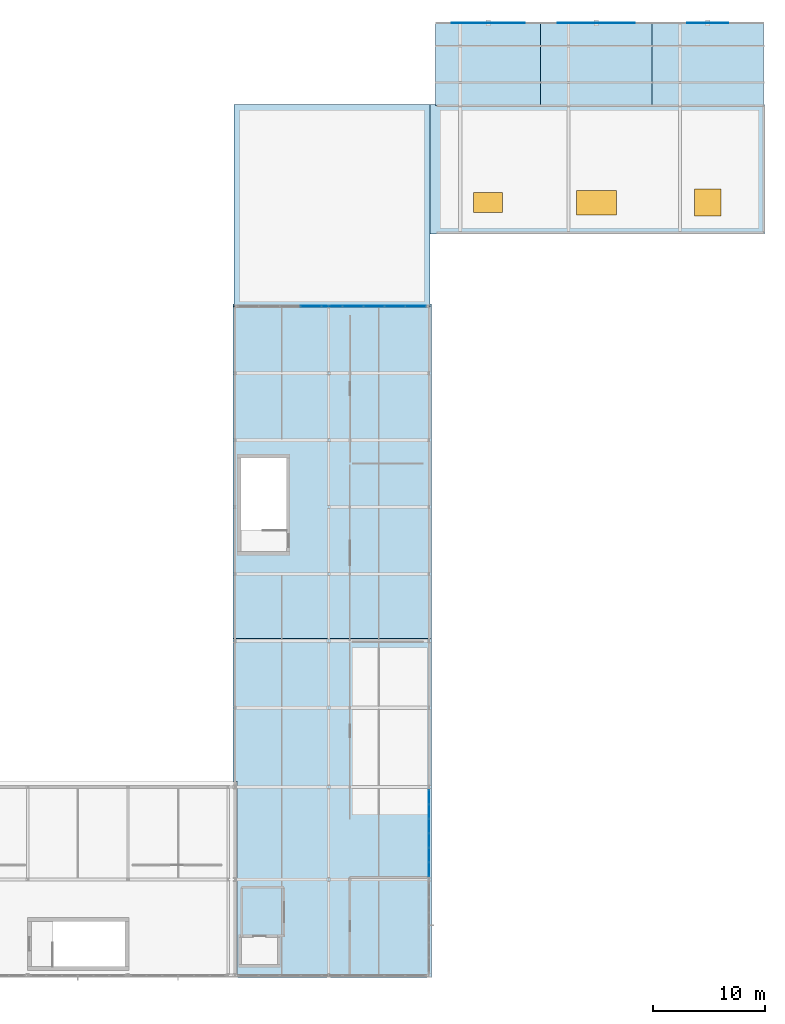
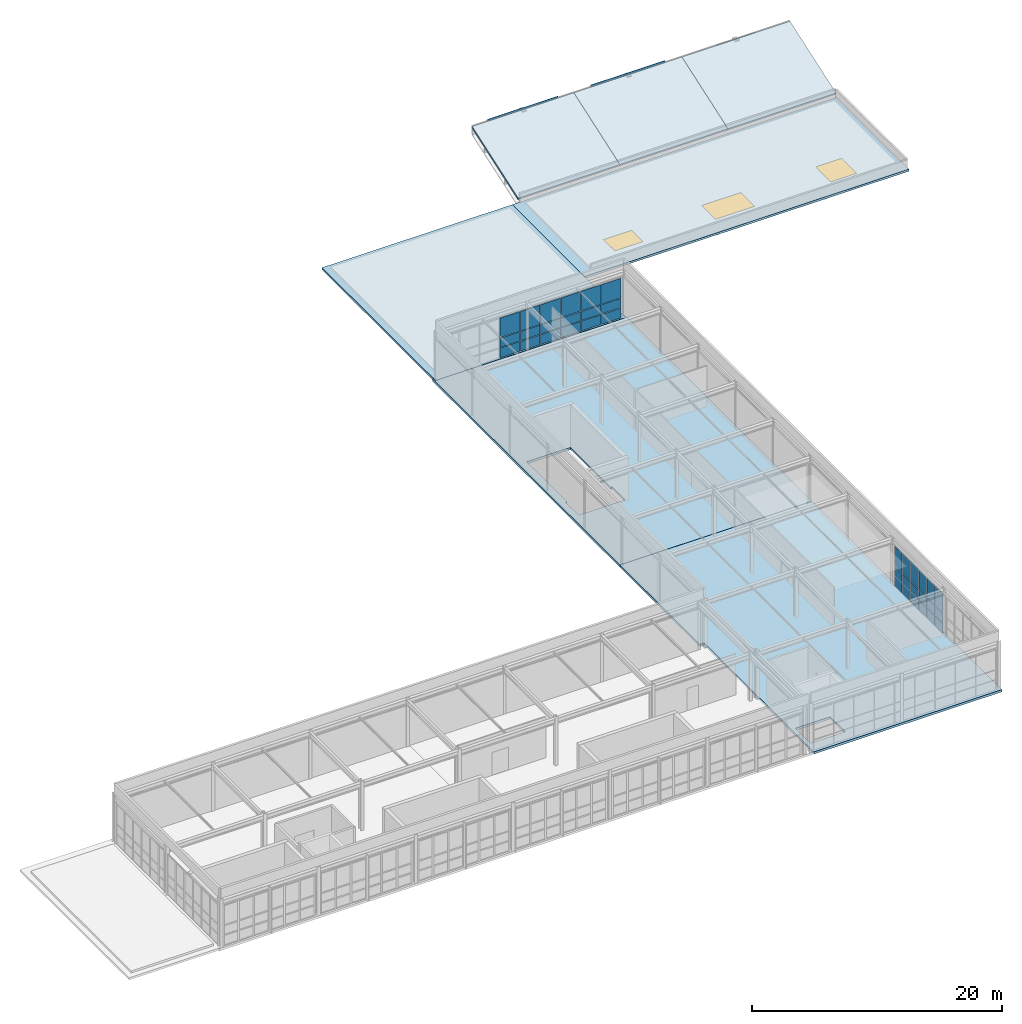
# One storey, part 32 of 38: 39 plates, 7 slabs, 3 windows, 3 openings, 4 elements without a shape of their own.
"""IFC4 building model written with IfcOpenShell, lengths in metres."""

from ifc_helpers import new_model, si_unit, direction, frame, origin, origin_2d, place, context, subcontext, project, spatial, polyline, rectangle, outline, extrude, material, layer, layer_set, type_object, element, fill, aggregate, save


model = new_model("IFC4")

# Units and contexts
model_context = context("Model", 3, precision=1e-05, world=origin(), true_north=direction((0.0, 1.0)))
body_context = subcontext(model_context, "Body", "Model", "MODEL_VIEW")
ifc_project = project(units=[si_unit("LENGTHUNIT", "METRE"), si_unit("AREAUNIT", "SQUARE_METRE"), si_unit("VOLUMEUNIT", "CUBIC_METRE"), si_unit("PLANEANGLEUNIT", "RADIAN"), si_unit("MASSUNIT", "GRAM", prefix="KILO")], contexts=[model_context])

# Site, building, storey
site_placement = place(None, origin())
site = spatial("IfcSite", under=ifc_project, at=site_placement, CompositionType="ELEMENT")
building_placement = place(site_placement, origin())
building = spatial("IfcBuilding", under=site, at=building_placement, Name="Kaldris Quays Convention Centre", CompositionType="ELEMENT")
storey_placement = place(building_placement, frame((0.0, 0.0, 21.60009765625)))
storey = spatial("IfcBuildingStorey", under=building, at=storey_placement, Name="L04", CompositionType="ELEMENT", Elevation=21.60009765625)

# Curtain wall, plates
ifc_material_1 = material(Name="Anodized aluminium AW-6060 and triple glazing", Category="aluminium")
curtain_wall_type_1 = type_object("IfcCurtainWallType", Name="UNITISED CURTAIN WALL CW04", PredefinedType="NOTDEFINED", material=ifc_material_1)
curtain_wall_1_placement = place(storey_placement, origin())
curtain_wall_1 = element("IfcCurtainWall", 1, at=curtain_wall_1_placement, inside=storey, type_object=curtain_wall_type_1, Name="L04 Unitised Curtain Wall CW04 150", PredefinedType="NOTDEFINED")
ifc_material_2 = material(Name="Triple low-E insulated glazing", Category="glass")
plate_type_1 = type_object("IfcPlateType", Name="CURTAIN GLAZING PANEL CWP6", PredefinedType="CURTAIN_PANEL", material=ifc_material_2)
plate_1_placement = place(storey_placement, frame((164.0, 47.514892578125, 0.059814453125), z_axis=(0.0, 0.0, 1.0), x_axis=(0.0, 1.0, 0.0)))
plate_1 = element("IfcPlate", 2, at=plate_1_placement, type_object=plate_type_1, Name="CW04 panel 1.1", PredefinedType="CURTAIN_PANEL", context=body_context, shape_type="SweptSolid", body=[
    extrude(rectangle(XDim=1.2099609375, YDim=0.053955078125, at=origin_2d()), origin(), (0.0, 0.0, 1.0), 0.9599609375),
])
plate_2_placement = place(storey_placement, frame((164.0, 47.514892578125, 1.080078125), z_axis=(0.0, 0.0, 1.0), x_axis=(0.0, 1.0, 0.0)))
plate_2 = element("IfcPlate", 3, at=plate_2_placement, type_object=plate_type_1, Name="CW04 panel 1.2", PredefinedType="CURTAIN_PANEL", context=body_context, shape_type="SweptSolid", body=[
    extrude(rectangle(XDim=1.2099609375, YDim=0.053955078125, at=origin_2d()), origin(), (0.0, 0.0, 1.0), 0.889892578125),
])
plate_3_placement = place(storey_placement, frame((164.0, 47.514892578125, 2.02978515625), z_axis=(0.0, 0.0, 1.0), x_axis=(0.0, 1.0, 0.0)))
plate_3 = element("IfcPlate", 4, at=plate_3_placement, type_object=plate_type_1, Name="CW04 panel 1.3", PredefinedType="CURTAIN_PANEL", context=body_context, shape_type="SweptSolid", body=[
    extrude(rectangle(XDim=1.2099609375, YDim=0.053955078125, at=origin_2d()), origin(), (0.0, 0.0, 1.0), 1.909912109375),
])
plate_4_placement = place(storey_placement, frame((164.0, 48.800048828125, 0.059814453125), z_axis=(0.0, 0.0, 1.0), x_axis=(0.0, 1.0, 0.0)))
plate_4 = element("IfcPlate", 5, at=plate_4_placement, type_object=plate_type_1, Name="CW04 panel 2.1", PredefinedType="CURTAIN_PANEL", context=body_context, shape_type="SweptSolid", body=[
    extrude(rectangle(XDim=1.239990234375, YDim=0.053955078125, at=origin_2d()), origin(), (0.0, 0.0, 1.0), 0.9599609375),
])
plate_5_placement = place(storey_placement, frame((164.0, 48.800048828125, 1.080078125), z_axis=(0.0, 0.0, 1.0), x_axis=(0.0, 1.0, 0.0)))
plate_5 = element("IfcPlate", 6, at=plate_5_placement, type_object=plate_type_1, Name="CW04 panel 2.2", PredefinedType="CURTAIN_PANEL", context=body_context, shape_type="SweptSolid", body=[
    extrude(rectangle(XDim=1.239990234375, YDim=0.053955078125, at=origin_2d()), origin(), (0.0, 0.0, 1.0), 0.889892578125),
])
plate_6_placement = place(storey_placement, frame((164.0, 48.800048828125, 2.02978515625), z_axis=(0.0, 0.0, 1.0), x_axis=(0.0, 1.0, 0.0)))
plate_6 = element("IfcPlate", 7, at=plate_6_placement, type_object=plate_type_1, Name="CW04 panel 2.3", PredefinedType="CURTAIN_PANEL", context=body_context, shape_type="SweptSolid", body=[
    extrude(rectangle(XDim=1.239990234375, YDim=0.053955078125, at=origin_2d()), origin(), (0.0, 0.0, 1.0), 1.909912109375),
])
plate_7_placement = place(storey_placement, frame((164.0, 50.10009765625, 0.059814453125), z_axis=(0.0, 0.0, 1.0), x_axis=(0.0, 1.0, 0.0)))
plate_7 = element("IfcPlate", 8, at=plate_7_placement, type_object=plate_type_1, Name="CW04 panel 3.1", PredefinedType="CURTAIN_PANEL", context=body_context, shape_type="SweptSolid", body=[
    extrude(rectangle(XDim=1.239990234375, YDim=0.053955078125, at=origin_2d()), origin(), (0.0, 0.0, 1.0), 0.9599609375),
])
plate_8_placement = place(storey_placement, frame((164.0, 50.10009765625, 1.080078125), z_axis=(0.0, 0.0, 1.0), x_axis=(0.0, 1.0, 0.0)))
plate_8 = element("IfcPlate", 9, at=plate_8_placement, type_object=plate_type_1, Name="CW04 panel 3.2", PredefinedType="CURTAIN_PANEL", context=body_context, shape_type="SweptSolid", body=[
    extrude(rectangle(XDim=1.239990234375, YDim=0.053955078125, at=origin_2d()), origin(), (0.0, 0.0, 1.0), 0.889892578125),
])
plate_9_placement = place(storey_placement, frame((164.0, 50.10009765625, 2.02978515625), z_axis=(0.0, 0.0, 1.0), x_axis=(0.0, 1.0, 0.0)))
plate_9 = element("IfcPlate", 10, at=plate_9_placement, type_object=plate_type_1, Name="CW04 panel 3.3", PredefinedType="CURTAIN_PANEL", context=body_context, shape_type="SweptSolid", body=[
    extrude(rectangle(XDim=1.239990234375, YDim=0.053955078125, at=origin_2d()), origin(), (0.0, 0.0, 1.0), 1.909912109375),
])
plate_10_placement = place(storey_placement, frame((164.0, 51.39990234375, 0.059814453125), z_axis=(0.0, 0.0, 1.0), x_axis=(0.0, 1.0, 0.0)))
plate_10 = element("IfcPlate", 11, at=plate_10_placement, type_object=plate_type_1, Name="CW04 panel 4.1", PredefinedType="CURTAIN_PANEL", context=body_context, shape_type="SweptSolid", body=[
    extrude(rectangle(XDim=1.239990234375, YDim=0.053955078125, at=origin_2d()), origin(), (0.0, 0.0, 1.0), 0.9599609375),
])
plate_11_placement = place(storey_placement, frame((164.0, 51.39990234375, 1.080078125), z_axis=(0.0, 0.0, 1.0), x_axis=(0.0, 1.0, 0.0)))
plate_11 = element("IfcPlate", 12, at=plate_11_placement, type_object=plate_type_1, Name="CW04 panel 4.2", PredefinedType="CURTAIN_PANEL", context=body_context, shape_type="SweptSolid", body=[
    extrude(rectangle(XDim=1.239990234375, YDim=0.053955078125, at=origin_2d()), origin(), (0.0, 0.0, 1.0), 0.889892578125),
])
plate_12_placement = place(storey_placement, frame((164.0, 51.39990234375, 2.02978515625), z_axis=(0.0, 0.0, 1.0), x_axis=(0.0, 1.0, 0.0)))
plate_12 = element("IfcPlate", 13, at=plate_12_placement, type_object=plate_type_1, Name="CW04 panel 4.3", PredefinedType="CURTAIN_PANEL", context=body_context, shape_type="SweptSolid", body=[
    extrude(rectangle(XDim=1.239990234375, YDim=0.053955078125, at=origin_2d()), origin(), (0.0, 0.0, 1.0), 1.909912109375),
])
plate_13_placement = place(storey_placement, frame((164.0, 52.699951171875, 0.059814453125), z_axis=(0.0, 0.0, 1.0), x_axis=(0.0, 1.0, 0.0)))
plate_13 = element("IfcPlate", 14, at=plate_13_placement, type_object=plate_type_1, Name="CW04 panel 5.1", PredefinedType="CURTAIN_PANEL", context=body_context, shape_type="SweptSolid", body=[
    extrude(rectangle(XDim=1.239990234375, YDim=0.053955078125, at=origin_2d()), origin(), (0.0, 0.0, 1.0), 0.9599609375),
])
plate_14_placement = place(storey_placement, frame((164.0, 52.699951171875, 1.080078125), z_axis=(0.0, 0.0, 1.0), x_axis=(0.0, 1.0, 0.0)))
plate_14 = element("IfcPlate", 15, at=plate_14_placement, type_object=plate_type_1, Name="CW04 panel 5.2", PredefinedType="CURTAIN_PANEL", context=body_context, shape_type="SweptSolid", body=[
    extrude(rectangle(XDim=1.239990234375, YDim=0.053955078125, at=origin_2d()), origin(), (0.0, 0.0, 1.0), 0.889892578125),
])
plate_15_placement = place(storey_placement, frame((164.0, 52.699951171875, 2.02978515625), z_axis=(0.0, 0.0, 1.0), x_axis=(0.0, 1.0, 0.0)))
plate_15 = element("IfcPlate", 16, at=plate_15_placement, type_object=plate_type_1, Name="CW04 panel 5.3", PredefinedType="CURTAIN_PANEL", context=body_context, shape_type="SweptSolid", body=[
    extrude(rectangle(XDim=1.239990234375, YDim=0.053955078125, at=origin_2d()), origin(), (0.0, 0.0, 1.0), 1.909912109375),
])
plate_16_placement = place(storey_placement, frame((164.0, 53.985107421875, 0.059814453125), z_axis=(0.0, 0.0, 1.0), x_axis=(0.0, 1.0, 0.0)))
plate_16 = element("IfcPlate", 17, at=plate_16_placement, type_object=plate_type_1, Name="CW04 panel 6.1", PredefinedType="CURTAIN_PANEL", context=body_context, shape_type="SweptSolid", body=[
    extrude(rectangle(XDim=1.2099609375, YDim=0.053955078125, at=origin_2d()), origin(), (0.0, 0.0, 1.0), 0.9599609375),
])
plate_17_placement = place(storey_placement, frame((164.0, 53.985107421875, 1.080078125), z_axis=(0.0, 0.0, 1.0), x_axis=(0.0, 1.0, 0.0)))
plate_17 = element("IfcPlate", 18, at=plate_17_placement, type_object=plate_type_1, Name="CW04 panel 6.2", PredefinedType="CURTAIN_PANEL", context=body_context, shape_type="SweptSolid", body=[
    extrude(rectangle(XDim=1.2099609375, YDim=0.053955078125, at=origin_2d()), origin(), (0.0, 0.0, 1.0), 0.889892578125),
])
plate_18_placement = place(storey_placement, frame((164.0, 53.985107421875, 2.02978515625), z_axis=(0.0, 0.0, 1.0), x_axis=(0.0, 1.0, 0.0)))
plate_18 = element("IfcPlate", 19, at=plate_18_placement, type_object=plate_type_1, Name="CW04 panel 6.3", PredefinedType="CURTAIN_PANEL", context=body_context, shape_type="SweptSolid", body=[
    extrude(rectangle(XDim=1.2099609375, YDim=0.053955078125, at=origin_2d()), origin(), (0.0, 0.0, 1.0), 1.909912109375),
])
aggregate(curtain_wall_1, [plate_1, plate_2, plate_3, plate_4, plate_5, plate_6, plate_7, plate_8, plate_9, plate_10, plate_11, plate_12, plate_13, plate_14, plate_15, plate_16, plate_17, plate_18])

curtain_wall_type_2 = type_object("IfcCurtainWallType", Name="UNITISED CURTAIN WALL CW05", PredefinedType="NOTDEFINED", material=ifc_material_1)
curtain_wall_2_placement = place(storey_placement, origin())
curtain_wall_2 = element("IfcCurtainWall", 20, at=curtain_wall_2_placement, inside=storey, type_object=curtain_wall_type_2, Name="L04 Unitised Curtain Wall CW05 151", PredefinedType="NOTDEFINED")
plate_type_2 = type_object("IfcPlateType", Name="CURTAIN GLAZING PANEL CWP7", PredefinedType="CURTAIN_PANEL", material=ifc_material_2)
plate_19_placement = place(storey_placement, frame((153.422119140625, 98.0, 0.059814453125), z_axis=(0.0, 0.0, 1.0), x_axis=(1.0, 0.0, 0.0)))
plate_19 = element("IfcPlate", 21, at=plate_19_placement, type_object=plate_type_2, Name="CW05 panel 4.1", PredefinedType="CURTAIN_PANEL", context=body_context, shape_type="SweptSolid", body=[
    extrude(rectangle(XDim=1.81787109375, YDim=0.05908203125, at=origin_2d()), origin(), (0.0, 0.0, 1.0), 0.9599609375),
])
plate_20_placement = place(storey_placement, frame((153.422119140625, 98.0, 1.080078125), z_axis=(0.0, 0.0, 1.0), x_axis=(1.0, 0.0, 0.0)))
plate_20 = element("IfcPlate", 22, at=plate_20_placement, type_object=plate_type_2, Name="CW05 panel 4.2", PredefinedType="CURTAIN_PANEL", context=body_context, shape_type="SweptSolid", body=[
    extrude(rectangle(XDim=1.81787109375, YDim=0.05908203125, at=origin_2d()), origin(), (0.0, 0.0, 1.0), 0.889892578125),
])
plate_21_placement = place(storey_placement, frame((153.422119140625, 98.0, 2.02978515625), z_axis=(0.0, 0.0, 1.0), x_axis=(1.0, 0.0, 0.0)))
plate_21 = element("IfcPlate", 23, at=plate_21_placement, type_object=plate_type_2, Name="CW05 panel 4.3", PredefinedType="CURTAIN_PANEL", context=body_context, shape_type="SweptSolid", body=[
    extrude(rectangle(XDim=1.81787109375, YDim=0.05908203125, at=origin_2d()), origin(), (0.0, 0.0, 1.0), 1.909912109375),
])
plate_22_placement = place(storey_placement, frame((155.300048828125, 98.0, 0.059814453125), z_axis=(0.0, 0.0, 1.0), x_axis=(1.0, 0.0, 0.0)))
plate_22 = element("IfcPlate", 24, at=plate_22_placement, type_object=plate_type_2, Name="CW05 panel 5.1", PredefinedType="CURTAIN_PANEL", context=body_context, shape_type="SweptSolid", body=[
    extrude(rectangle(XDim=1.81787109375, YDim=0.05908203125, at=origin_2d()), origin(), (0.0, 0.0, 1.0), 0.9599609375),
])
plate_23_placement = place(storey_placement, frame((155.300048828125, 98.0, 1.080078125), z_axis=(0.0, 0.0, 1.0), x_axis=(1.0, 0.0, 0.0)))
plate_23 = element("IfcPlate", 25, at=plate_23_placement, type_object=plate_type_2, Name="CW05 panel 5.2", PredefinedType="CURTAIN_PANEL", context=body_context, shape_type="SweptSolid", body=[
    extrude(rectangle(XDim=1.81787109375, YDim=0.05908203125, at=origin_2d()), origin(), (0.0, 0.0, 1.0), 0.889892578125),
])
plate_24_placement = place(storey_placement, frame((155.300048828125, 98.0, 2.02978515625), z_axis=(0.0, 0.0, 1.0), x_axis=(1.0, 0.0, 0.0)))
plate_24 = element("IfcPlate", 26, at=plate_24_placement, type_object=plate_type_2, Name="CW05 panel 5.3", PredefinedType="CURTAIN_PANEL", context=body_context, shape_type="SweptSolid", body=[
    extrude(rectangle(XDim=1.81787109375, YDim=0.05908203125, at=origin_2d()), origin(), (0.0, 0.0, 1.0), 1.909912109375),
])
plate_25_placement = place(storey_placement, frame((157.177734375, 98.0, 0.059814453125), z_axis=(0.0, 0.0, 1.0), x_axis=(1.0, 0.0, 0.0)))
plate_25 = element("IfcPlate", 27, at=plate_25_placement, type_object=plate_type_2, Name="CW05 panel 6.1", PredefinedType="CURTAIN_PANEL", context=body_context, shape_type="SweptSolid", body=[
    extrude(rectangle(XDim=1.81787109375, YDim=0.05908203125, at=origin_2d()), origin(), (0.0, 0.0, 1.0), 0.9599609375),
])
plate_26_placement = place(storey_placement, frame((157.177734375, 98.0, 1.080078125), z_axis=(0.0, 0.0, 1.0), x_axis=(1.0, 0.0, 0.0)))
plate_26 = element("IfcPlate", 28, at=plate_26_placement, type_object=plate_type_2, Name="CW05 panel 6.2", PredefinedType="CURTAIN_PANEL", context=body_context, shape_type="SweptSolid", body=[
    extrude(rectangle(XDim=1.81787109375, YDim=0.05908203125, at=origin_2d()), origin(), (0.0, 0.0, 1.0), 0.889892578125),
])
plate_27_placement = place(storey_placement, frame((157.177734375, 98.0, 2.02978515625), z_axis=(0.0, 0.0, 1.0), x_axis=(1.0, 0.0, 0.0)))
plate_27 = element("IfcPlate", 29, at=plate_27_placement, type_object=plate_type_2, Name="CW05 panel 6.3", PredefinedType="CURTAIN_PANEL", context=body_context, shape_type="SweptSolid", body=[
    extrude(rectangle(XDim=1.81787109375, YDim=0.05908203125, at=origin_2d()), origin(), (0.0, 0.0, 1.0), 1.909912109375),
])
plate_28_placement = place(storey_placement, frame((159.0556640625, 98.0, 0.059814453125), z_axis=(0.0, 0.0, 1.0), x_axis=(1.0, 0.0, 0.0)))
plate_28 = element("IfcPlate", 30, at=plate_28_placement, type_object=plate_type_2, Name="CW05 panel 7.1", PredefinedType="CURTAIN_PANEL", context=body_context, shape_type="SweptSolid", body=[
    extrude(rectangle(XDim=1.81787109375, YDim=0.05908203125, at=origin_2d()), origin(), (0.0, 0.0, 1.0), 0.9599609375),
])
plate_29_placement = place(storey_placement, frame((159.0556640625, 98.0, 1.080078125), z_axis=(0.0, 0.0, 1.0), x_axis=(1.0, 0.0, 0.0)))
plate_29 = element("IfcPlate", 31, at=plate_29_placement, type_object=plate_type_2, Name="CW05 panel 7.2", PredefinedType="CURTAIN_PANEL", context=body_context, shape_type="SweptSolid", body=[
    extrude(rectangle(XDim=1.81787109375, YDim=0.05908203125, at=origin_2d()), origin(), (0.0, 0.0, 1.0), 0.889892578125),
])
plate_30_placement = place(storey_placement, frame((159.0556640625, 98.0, 2.02978515625), z_axis=(0.0, 0.0, 1.0), x_axis=(1.0, 0.0, 0.0)))
plate_30 = element("IfcPlate", 32, at=plate_30_placement, type_object=plate_type_2, Name="CW05 panel 7.3", PredefinedType="CURTAIN_PANEL", context=body_context, shape_type="SweptSolid", body=[
    extrude(rectangle(XDim=1.81787109375, YDim=0.05908203125, at=origin_2d()), origin(), (0.0, 0.0, 1.0), 1.909912109375),
])
plate_31_placement = place(storey_placement, frame((160.933349609375, 98.0, 0.059814453125), z_axis=(0.0, 0.0, 1.0), x_axis=(1.0, 0.0, 0.0)))
plate_31 = element("IfcPlate", 33, at=plate_31_placement, type_object=plate_type_2, Name="CW05 panel 8.1", PredefinedType="CURTAIN_PANEL", context=body_context, shape_type="SweptSolid", body=[
    extrude(rectangle(XDim=1.81787109375, YDim=0.05908203125, at=origin_2d()), origin(), (0.0, 0.0, 1.0), 0.9599609375),
])
plate_32_placement = place(storey_placement, frame((160.933349609375, 98.0, 1.080078125), z_axis=(0.0, 0.0, 1.0), x_axis=(1.0, 0.0, 0.0)))
plate_32 = element("IfcPlate", 34, at=plate_32_placement, type_object=plate_type_2, Name="CW05 panel 8.2", PredefinedType="CURTAIN_PANEL", context=body_context, shape_type="SweptSolid", body=[
    extrude(rectangle(XDim=1.81787109375, YDim=0.05908203125, at=origin_2d()), origin(), (0.0, 0.0, 1.0), 0.889892578125),
])
plate_33_placement = place(storey_placement, frame((160.933349609375, 98.0, 2.02978515625), z_axis=(0.0, 0.0, 1.0), x_axis=(1.0, 0.0, 0.0)))
plate_33 = element("IfcPlate", 35, at=plate_33_placement, type_object=plate_type_2, Name="CW05 panel 8.3", PredefinedType="CURTAIN_PANEL", context=body_context, shape_type="SweptSolid", body=[
    extrude(rectangle(XDim=1.81787109375, YDim=0.05908203125, at=origin_2d()), origin(), (0.0, 0.0, 1.0), 1.909912109375),
])
plate_34_placement = place(storey_placement, frame((162.796142578125, 98.0, 0.059814453125), z_axis=(0.0, 0.0, 1.0), x_axis=(1.0, 0.0, 0.0)))
plate_34 = element("IfcPlate", 36, at=plate_34_placement, type_object=plate_type_2, Name="CW05 panel 9.1", PredefinedType="CURTAIN_PANEL", context=body_context, shape_type="SweptSolid", body=[
    extrude(rectangle(XDim=1.787841796875, YDim=0.05908203125, at=origin_2d()), origin(), (0.0, 0.0, 1.0), 0.9599609375),
])
plate_35_placement = place(storey_placement, frame((162.796142578125, 98.0, 1.080078125), z_axis=(0.0, 0.0, 1.0), x_axis=(1.0, 0.0, 0.0)))
plate_35 = element("IfcPlate", 37, at=plate_35_placement, type_object=plate_type_2, Name="CW05 panel 9.2", PredefinedType="CURTAIN_PANEL", context=body_context, shape_type="SweptSolid", body=[
    extrude(rectangle(XDim=1.787841796875, YDim=0.05908203125, at=origin_2d()), origin(), (0.0, 0.0, 1.0), 0.889892578125),
])
plate_36_placement = place(storey_placement, frame((162.796142578125, 98.0, 2.02978515625), z_axis=(0.0, 0.0, 1.0), x_axis=(1.0, 0.0, 0.0)))
plate_36 = element("IfcPlate", 38, at=plate_36_placement, type_object=plate_type_2, Name="CW05 panel 9.3", PredefinedType="CURTAIN_PANEL", context=body_context, shape_type="SweptSolid", body=[
    extrude(rectangle(XDim=1.787841796875, YDim=0.05908203125, at=origin_2d()), origin(), (0.0, 0.0, 1.0), 1.909912109375),
])
aggregate(curtain_wall_2, [plate_19, plate_20, plate_21, plate_22, plate_23, plate_24, plate_25, plate_26, plate_27, plate_28, plate_29, plate_30, plate_31, plate_32, plate_33, plate_34, plate_35, plate_36])

# Slabs
ifc_material_3 = material(Name="Concrete C35/45", Category="concrete")
ifc_layer_1 = layer(ifc_material_3, 0.218017578125)
ifc_layer_set_1 = layer_set([ifc_layer_1], Name="Concrete C35/45")
slab_type_1 = type_object("IfcSlabType", Name="STRUCTURAL SLAB FS08", PredefinedType="FLOOR", material=ifc_layer_set_1)
slab_1_placement = place(storey_placement, frame((0.0, 0.0, -0.218017578125)))
element("IfcSlab", 39, at=slab_1_placement, inside=storey, type_object=slab_type_1, Name="L04 V4 L04 East 1 SLAB-L04-V4E-1", PredefinedType="FLOOR", context=body_context, shape_type="SweptSolid", body=[
    extrude(outline(polyline([(146.39990234375, 68.199951171875), (164.199951171875, 68.199951171875), (164.199951171875, 37.800048828125), (146.802001953125, 37.800048828125), (146.802001953125, 55.375), (146.39990234375, 55.376953125), (146.39990234375, 68.199951171875)]), holes=[polyline([(147.199951171875, 41.39990234375), (147.199951171875, 39.0), (150.39990234375, 39.0), (150.39990234375, 41.39990234375), (147.199951171875, 41.39990234375)])]), origin(), (0.0, 0.0, 1.0), 0.218017578125),
])
slab_2_placement = place(storey_placement, frame((0.0, 0.0, -0.218017578125)))
element("IfcSlab", 40, at=slab_2_placement, inside=storey, type_object=slab_type_1, Name="L04 V4 L04 East 2 SLAB-L04-V4E-2", PredefinedType="FLOOR", context=body_context, shape_type="SweptSolid", body=[
    extrude(outline(polyline([(164.199951171875, 98.199951171875), (164.199951171875, 68.201904296875), (146.39990234375, 68.201904296875), (146.39990234375, 98.199951171875), (146.498046875, 98.199951171875), (146.5, 97.89794921875), (164.10009765625, 97.89794921875), (164.10205078125, 98.199951171875), (164.199951171875, 98.199951171875)]), holes=[polyline([(151.322021484375, 75.879638671875), (151.322021484375, 77.9501953125), (151.199951171875, 77.951904296875), (151.199951171875, 84.39990234375), (147.14990234375, 84.39990234375), (147.14990234375, 77.951904296875), (147.028076171875, 77.9501953125), (147.0283203125, 75.879150390625), (151.322021484375, 75.879638671875)])]), origin(), (0.0, 0.0, 1.0), 0.218017578125),
])

# Roof, slabs, openings, windows
ifc_layer_2 = layer(ifc_material_3, 0.205078125)
ifc_layer_set_2 = layer_set([ifc_layer_2], Name="Concrete C35/45")
roof_type_1 = type_object("IfcRoofType", Name="GREEN FLAT ROOF RF03", PredefinedType="FLAT_ROOF", material=ifc_layer_set_2)
roof_1_placement = place(storey_placement, origin())
roof_1 = element("IfcRoof", 41, at=roof_1_placement, inside=storey, type_object=roof_type_1, Name="V4 L04 Setback Green Roofs", PredefinedType="FLAT_ROOF")
ifc_layer_3 = layer(ifc_material_3, 0.205078125)
ifc_layer_set_3 = layer_set([ifc_layer_3], Name="Concrete C35/45")
slab_type_2 = type_object("IfcSlabType", Name="STRUCTURAL SLAB RS01", PredefinedType="ROOF", material=ifc_layer_set_3)
slab_3_placement = place(storey_placement, frame((0.0, 0.0, -0.205078125)))
slab_3 = element("IfcSlab", 42, at=slab_3_placement, type_object=slab_type_2, Name="L04 V4 North Setback Roof SLAB-L04-V4ENROOF", PredefinedType="ROOF", context=body_context, shape_type="SweptSolid", body=[
    extrude(outline(polyline([(146.5, 97.89990234375), (146.5, 116.10009765625), (164.10009765625, 116.10009765625), (164.10009765625, 97.89990234375), (146.5, 97.89990234375)])), origin(), (0.0, 0.0, 1.0), 0.205078125),
])
slab_4_placement = place(storey_placement, frame((0.0, 0.0, -0.205078125)))
slab_4 = element("IfcSlab", 43, at=slab_4_placement, type_object=slab_type_2, Name="L04 V4 NE Setback Roof SLAB-L04-V4NEROOF", PredefinedType="ROOF", context=body_context, shape_type="SweptSolid", body=[
    extrude(outline(polyline([(194.10009765625, 116.10009765625), (194.10009765625, 104.5), (164.10205078125, 104.5), (164.10205078125, 116.10009765625), (194.10009765625, 116.10009765625)])), origin(), (0.0, 0.0, 1.0), 0.205078125),
])
opening_1_placement = place(slab_4_placement, frame((169.300048828125, 107.300048828125, 0.0)))
opening_1 = element("IfcOpeningElement", 44, at=opening_1_placement, cuts=slab_4, Name="Opening SK05", PredefinedType="OPENING", context=body_context, shape_type="SweptSolid", body=[
    extrude(rectangle(XDim=2.60009765625, YDim=1.800048828125, at=origin_2d()), frame((0.0, 0.0, -0.010009765625)), (0.0, 0.0, 1.0), 0.22509765625),
])
opening_2_placement = place(slab_4_placement, frame((179.0, 107.300048828125, 0.0)))
opening_2 = element("IfcOpeningElement", 45, at=opening_2_placement, cuts=slab_4, Name="Opening SK06", PredefinedType="OPENING", context=body_context, shape_type="SweptSolid", body=[
    extrude(rectangle(XDim=3.60009765625, YDim=2.199951171875, at=origin_2d()), frame((0.0, 0.0, -0.010009765625)), (0.0, 0.0, 1.0), 0.22509765625),
])
opening_3_placement = place(slab_4_placement, frame((189.0, 107.300048828125, 0.0)))
opening_3 = element("IfcOpeningElement", 46, at=opening_3_placement, cuts=slab_4, Name="Opening SK01", PredefinedType="OPENING", context=body_context, shape_type="SweptSolid", body=[
    extrude(rectangle(XDim=2.39990234375, YDim=2.39990234375, at=origin_2d()), frame((0.0, 0.0, -0.010009765625)), (0.0, 0.0, 1.0), 0.22509765625),
])
window_type_1 = type_object("IfcWindowType", Name="TRIPLE GLAZED SKYLIGHT SK01", PartitioningType="SINGLE_PANEL", PredefinedType="SKYLIGHT", material=ifc_material_2)
window_1_placement = place(opening_3_placement, frame((0.0, 0.0, 0.155029296875)))
window_1 = element("IfcWindow", 47, at=window_1_placement, inside=storey, type_object=window_type_1, Name="L04 Roof Skylight and RWA Smoke Hatch SK01 14", OverallHeight=2.39990234375, OverallWidth=2.39990234375, PartitioningType="SINGLE_PANEL", PredefinedType="SKYLIGHT", context=body_context, shape_type="SweptSolid", body=[
    extrude(rectangle(XDim=2.39990234375, YDim=2.39990234375, at=origin_2d()), origin(), (0.0, 0.0, 1.0), 0.050048828125),
])
fill(opening_3, window_1)
window_type_2 = type_object("IfcWindowType", Name="TRIPLE GLAZED SKYLIGHT SK05", PartitioningType="SINGLE_PANEL", PredefinedType="SKYLIGHT", material=ifc_material_2)
window_2_placement = place(opening_1_placement, frame((0.0, 0.0, 0.155029296875)))
window_2 = element("IfcWindow", 48, at=window_2_placement, inside=storey, type_object=window_type_2, Name="L04 Roof Skylight and RWA Smoke Hatch SK05 12", OverallHeight=1.800048828125, OverallWidth=2.60009765625, PartitioningType="SINGLE_PANEL", PredefinedType="SKYLIGHT", context=body_context, shape_type="SweptSolid", body=[
    extrude(rectangle(XDim=2.60009765625, YDim=1.800048828125, at=origin_2d()), origin(), (0.0, 0.0, 1.0), 0.050048828125),
])
fill(opening_1, window_2)
window_type_3 = type_object("IfcWindowType", Name="TRIPLE GLAZED SKYLIGHT SK06", PartitioningType="SINGLE_PANEL", PredefinedType="SKYLIGHT", material=ifc_material_2)
window_3_placement = place(opening_2_placement, frame((0.0, 0.0, 0.155029296875)))
window_3 = element("IfcWindow", 49, at=window_3_placement, inside=storey, type_object=window_type_3, Name="L04 Roof Skylight and RWA Smoke Hatch SK06 13", OverallHeight=2.199951171875, OverallWidth=3.60009765625, PartitioningType="SINGLE_PANEL", PredefinedType="SKYLIGHT", context=body_context, shape_type="SweptSolid", body=[
    extrude(rectangle(XDim=3.60009765625, YDim=2.199951171875, at=origin_2d()), origin(), (0.0, 0.0, 1.0), 0.050048828125),
])
fill(opening_2, window_3)
aggregate(roof_1, [slab_3, slab_4])

# Roof, slabs
ifc_material_4 = material(Name="Steel S355J2", Category="steel")
ifc_layer_4 = layer(ifc_material_4, 0.196044921875)
ifc_layer_set_4 = layer_set([ifc_layer_4], Name="Steel S355J2")
roof_type_2 = type_object("IfcRoofType", Name="WING SHED ROOF RF02", PredefinedType="SHED_ROOF", material=ifc_layer_set_4)
roof_2_placement = place(storey_placement, origin())
roof_2 = element("IfcRoof", 50, at=roof_2_placement, inside=storey, type_object=roof_type_2, Name="North-East Concourse Raised Cantilever Wing Roof", PredefinedType="SHED_ROOF")
ifc_layer_5 = layer(ifc_material_4, 0.196044921875)
ifc_layer_set_5 = layer_set([ifc_layer_5], Name="Steel S355J2")
slab_type_3 = type_object("IfcSlabType", Name="STRUCTURAL SLAB WR01", PredefinedType="ROOF", material=ifc_layer_set_5)
slab_5_placement = place(storey_placement, frame((164.60009765625, 116.0, 0.51025390625), z_axis=(0.0, -0.325552259056, 0.945524048676), x_axis=(1.0, 0.0, 0.0)))
slab_5 = element("IfcSlab", 51, at=slab_5_placement, type_object=slab_type_3, Name="WR-NORTHEAST Tilted Wing Roof Slab 1", PredefinedType="ROOF", context=body_context, shape_type="SweptSolid", body=[
    extrude(outline(polyline([(0.0, 0.0), (9.39990234375, 0.0), (9.39990234375, 7.826244455776373), (0.0, 7.826244455776373), (0.0, 0.0)])), origin(), (0.0, 0.0, -1.0), 0.196044921875),
])
slab_6_placement = place(storey_placement, frame((174.0, 116.0, 0.51025390625), z_axis=(0.0, -0.325552259056, 0.945524048676), x_axis=(1.0, 0.0, 0.0)))
slab_6 = element("IfcSlab", 52, at=slab_6_placement, type_object=slab_type_3, Name="WR-NORTHEAST Tilted Wing Roof Slab 2", PredefinedType="ROOF", context=body_context, shape_type="SweptSolid", body=[
    extrude(outline(polyline([(0.0, 0.0), (10.0, 0.0), (10.0, 7.826244455776374), (0.0, 7.826244455776374), (0.0, 0.0)])), origin(), (0.0, 0.0, -1.0), 0.196044921875),
])
slab_7_placement = place(storey_placement, frame((184.0, 116.0, 0.51025390625), z_axis=(0.0, -0.325552259056, 0.945524048676), x_axis=(1.0, 0.0, 0.0)))
slab_7 = element("IfcSlab", 53, at=slab_7_placement, type_object=slab_type_3, Name="WR-NORTHEAST Tilted Wing Roof Slab 3", PredefinedType="ROOF", context=body_context, shape_type="SweptSolid", body=[
    extrude(outline(polyline([(0.0, 0.0), (10.0, 0.0), (10.0, 7.826244455776374), (0.0, 7.826244455776374), (0.0, 0.0)])), origin(), (0.0, 0.0, -1.0), 0.196044921875),
])
aggregate(roof_2, [slab_5, slab_6, slab_7])

# Plates
ifc_material_5 = material(Name="Alabaster white star-pierced anodized aluminium panel", Category="aluminium")
plate_type_3 = type_object("IfcPlateType", Name="WING EAVE FASCIA SHEET FP01", PredefinedType="SHEET", material=ifc_material_5)
plate_37_placement = place(storey_placement, frame((189.0, 123.39990234375, 2.730712890625), z_axis=(0.0, 0.0, 1.0), x_axis=(-1.0, 0.0, 0.0)))
element("IfcPlate", 54, at=plate_37_placement, inside=storey, type_object=plate_type_3, Name="WR-NORTHEAST Wing Eave Fascia Sheet FP01 21", PredefinedType="SHEET", context=body_context, shape_type="SweptSolid", body=[
    extrude(rectangle(XDim=3.659912109375, YDim=0.01611328125, at=origin_2d()), origin(), (0.0, 0.0, 1.0), 0.375),
])
plate_type_4 = type_object("IfcPlateType", Name="WING EAVE FASCIA SHEET FP09", PredefinedType="SHEET", material=ifc_material_5)
plate_38_placement = place(storey_placement, frame((169.300048828125, 123.39990234375, 2.5908203125), z_axis=(0.0, 0.0, 1.0), x_axis=(-1.0, 0.0, 0.0)))
element("IfcPlate", 55, at=plate_38_placement, inside=storey, type_object=plate_type_4, Name="WR-NORTHEAST Wing Eave Fascia Sheet FP09 19", PredefinedType="SHEET", context=body_context, shape_type="SweptSolid", body=[
    extrude(rectangle(XDim=6.5400390625, YDim=0.01611328125, at=origin_2d()), origin(), (0.0, 0.0, 1.0), 0.655029296875),
])
plate_type_5 = type_object("IfcPlateType", Name="WING EAVE FASCIA SHEET FP10", PredefinedType="SHEET", material=ifc_material_5)
plate_39_placement = place(storey_placement, frame((179.0, 123.39990234375, 2.5732421875), z_axis=(0.0, 0.0, 1.0), x_axis=(-1.0, 0.0, 0.0)))
element("IfcPlate", 56, at=plate_39_placement, inside=storey, type_object=plate_type_5, Name="WR-NORTHEAST Wing Eave Fascia Sheet FP10 20", PredefinedType="SHEET", context=body_context, shape_type="SweptSolid", body=[
    extrude(rectangle(XDim=6.89990234375, YDim=0.01806640625, at=origin_2d()), origin(), (0.0, 0.0, 1.0), 0.68994140625),
])

save(model, "model.ifc")
